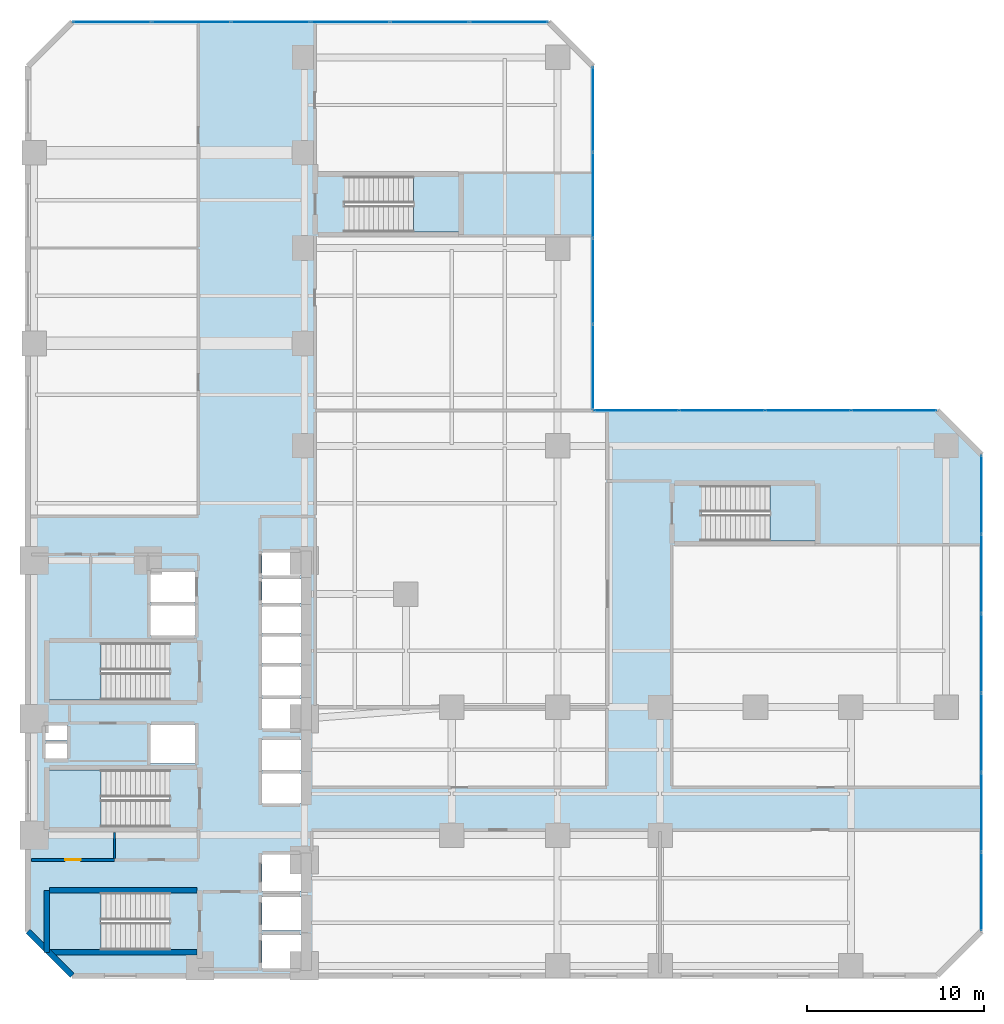
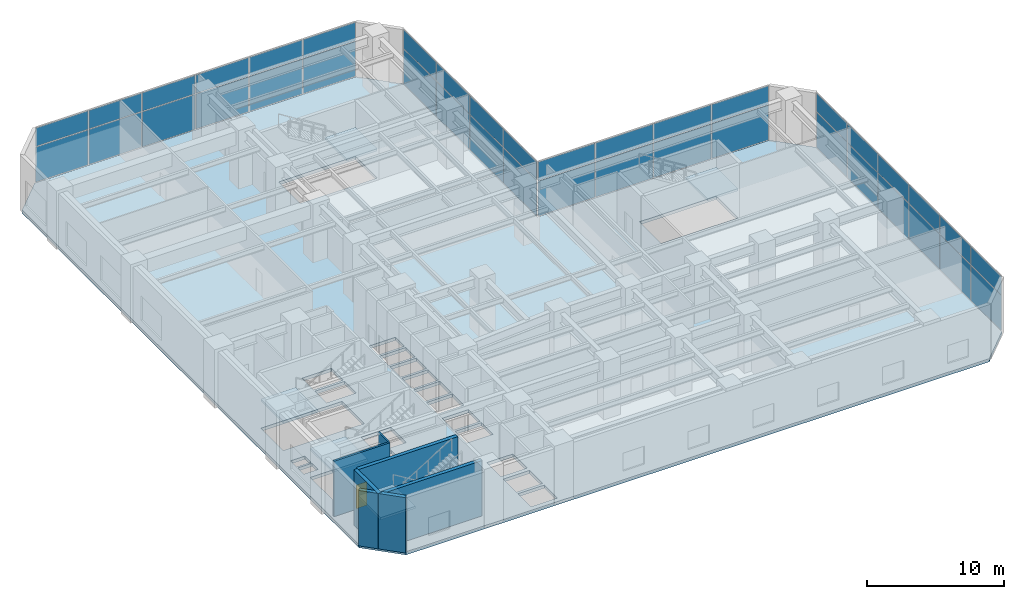
# One storey, part 13 of 22: 40 plates, 6 slabs, 6 walls, 1 door, 1 opening, 9 elements without a shape of their own.
"""IFC4 building model written with IfcOpenShell, lengths in metres."""

from ifc_helpers import new_model, si_unit, direction, frame, frame_2d, origin, origin_2d, place, context, subcontext, project, spatial, polyline, rectangle, outline, extrude, material, layer, layer_set, type_object, element, fill, aggregate, save


model = new_model("IFC4")

# Units and contexts
model_context = context("Model", 3, precision=1e-05, world=origin(), true_north=direction((0.0, 1.0)))
body_context = subcontext(model_context, "Body", "Model", "MODEL_VIEW")
ifc_project = project(units=[si_unit("LENGTHUNIT", "METRE"), si_unit("AREAUNIT", "SQUARE_METRE"), si_unit("VOLUMEUNIT", "CUBIC_METRE"), si_unit("PLANEANGLEUNIT", "RADIAN"), si_unit("MASSUNIT", "GRAM", prefix="KILO")], contexts=[model_context])

# Site, building, storey
site_placement = place(None, origin())
site = spatial("IfcSite", under=ifc_project, at=site_placement, CompositionType="ELEMENT")
building_placement = place(site_placement, origin())
building = spatial("IfcBuilding", under=site, at=building_placement, Name="Mawjaban Terraces University", CompositionType="ELEMENT")
storey_placement = place(building_placement, frame((0.0, 0.0, 10.39990234375)))
storey = spatial("IfcBuildingStorey", under=building, at=storey_placement, Name="L02", CompositionType="ELEMENT", Elevation=10.39990234375)

# Slab
ifc_material_1 = material(Name="Concrete C40/50", Category="concrete")
ifc_layer_1 = layer(ifc_material_1, 0.280029296875)
ifc_layer_set_1 = layer_set([ifc_layer_1], Name="Concrete C40/50")
slab_type_1 = type_object("IfcSlabType", Name="PodiumSlab_280", PredefinedType="FLOOR", material=ifc_layer_set_1)
slab_1_placement = place(storey_placement, frame((0.0, 0.0, -0.27978515625)))
element("IfcSlab", 1, at=slab_1_placement, inside=storey, type_object=slab_type_1, Name="L02 Primary Structural Slab", PredefinedType="FLOOR", context=body_context, shape_type="SweptSolid", body=[
    extrude(outline(polyline([(24.5, 0.0), (73.5, 0.0), (76.0, 2.5), (76.0, 29.5), (73.5, 32.0), (54.0, 32.0), (54.0, 51.5), (51.5, 54.0), (24.5, 54.0), (22.0, 51.5), (22.0, 2.5), (24.5, 0.0)]), holes=[polyline([(30.014892578125, 4.699951171875), (23.199951171875, 4.699951171875), (23.199951171875, 1.449951171875), (30.014892578125, 1.449951171875), (30.014892578125, 4.699951171875)]), polyline([(30.014892578125, 18.85009765625), (23.199951171875, 18.85009765625), (23.199951171875, 15.60009765625), (30.014892578125, 15.60009765625), (30.014892578125, 18.85009765625)]), polyline([(30.014892578125, 11.64990234375), (23.199951171875, 11.64990234375), (23.199951171875, 8.39990234375), (30.014892578125, 8.39990234375), (30.014892578125, 11.64990234375)]), polyline([(39.93505859375, 42.10009765625), (46.39990234375, 42.10009765625), (46.39990234375, 45.25), (39.93505859375, 45.25), (39.93505859375, 42.10009765625)]), polyline([(60.135009765625, 24.60009765625), (66.60009765625, 24.60009765625), (66.60009765625, 27.75), (60.135009765625, 27.75), (60.135009765625, 24.60009765625)]), polyline([(35.25, 0.39990234375), (37.449951171875, 0.39990234375), (37.449951171875, 2.300048828125), (35.25, 2.300048828125), (35.25, 0.39990234375)]), polyline([(35.25, 2.550048828125), (37.449951171875, 2.550048828125), (37.449951171875, 4.449951171875), (35.25, 4.449951171875), (35.25, 2.550048828125)]), polyline([(35.25, 4.800048828125), (37.449951171875, 4.800048828125), (37.449951171875, 6.85009765625), (35.25, 6.85009765625), (35.25, 4.800048828125)]), polyline([(35.25, 9.75), (37.449951171875, 9.75), (37.449951171875, 11.449951171875), (35.25, 11.449951171875), (35.25, 9.75)]), polyline([(35.25, 11.64990234375), (37.449951171875, 11.64990234375), (37.449951171875, 13.35009765625), (35.25, 13.35009765625), (35.25, 11.64990234375)]), polyline([(28.949951171875, 12.0), (31.449951171875, 12.0), (31.449951171875, 14.199951171875), (28.949951171875, 14.199951171875), (28.949951171875, 12.0)]), polyline([(35.25, 14.0), (37.449951171875, 14.0), (37.449951171875, 15.64990234375), (35.25, 15.64990234375), (35.25, 14.0)]), polyline([(35.25, 15.85009765625), (37.449951171875, 15.85009765625), (37.449951171875, 17.5), (35.25, 17.5), (35.25, 15.85009765625)]), polyline([(35.25, 17.699951171875), (37.449951171875, 17.699951171875), (37.449951171875, 19.199951171875), (35.25, 19.199951171875), (35.25, 17.699951171875)]), polyline([(35.25, 19.39990234375), (37.449951171875, 19.39990234375), (37.449951171875, 20.89990234375), (35.25, 20.89990234375), (35.25, 19.39990234375)]), polyline([(28.949951171875, 19.25), (31.449951171875, 19.25), (31.449951171875, 20.949951171875), (28.949951171875, 20.949951171875), (28.949951171875, 19.25)]), polyline([(35.25, 21.10009765625), (37.449951171875, 21.10009765625), (37.449951171875, 22.449951171875), (35.25, 22.449951171875), (35.25, 21.10009765625)]), polyline([(35.25, 22.64990234375), (37.449951171875, 22.64990234375), (37.449951171875, 23.949951171875), (35.25, 23.949951171875), (35.25, 22.64990234375)]), polyline([(28.949951171875, 21.14990234375), (31.449951171875, 21.14990234375), (31.449951171875, 22.85009765625), (28.949951171875, 22.85009765625), (28.949951171875, 21.14990234375)]), polyline([(23.0, 12.25), (24.199951171875, 12.25), (24.199951171875, 13.14990234375), (23.0, 13.14990234375), (23.0, 12.25)]), polyline([(23.0, 13.300048828125), (24.199951171875, 13.300048828125), (24.199951171875, 14.179931640625), (23.0, 14.179931640625), (23.0, 13.300048828125)])]), origin(), (0.0, 0.0, 1.0), 0.27978515625),
])

# Stair, slab
stair_type_1 = type_object("IfcStairType", Name="Stair_Core1550_H52", PredefinedType="HALF_TURN_STAIR", material=ifc_material_1)
stair_1_placement = place(storey_placement, origin())
stair_1 = element("IfcStair", 2, at=stair_1_placement, inside=storey, type_object=stair_type_1, Name="L02 Core Exit Stair 1", PredefinedType="HALF_TURN_STAIR")
ifc_layer_2 = layer(ifc_material_1, 0.199951171875)
ifc_layer_set_2 = layer_set([ifc_layer_2], Name="Concrete C40/50")
slab_type_2 = type_object("IfcSlabType", Name="StairLandingSlab_200", PredefinedType="LANDING", material=ifc_layer_set_2)
slab_2_placement = place(storey_placement, frame((0.0, 0.0, 2.400146484375)))
slab_2 = element("IfcSlab", 3, at=slab_2_placement, type_object=slab_type_2, Name="ST-1 landing 1", PredefinedType="LANDING", context=body_context, shape_type="SweptSolid", body=[
    extrude(outline(polyline([(26.1298828125, 4.699951171875), (23.199951171875, 4.699951171875), (23.199951171875, 1.449951171875), (26.1298828125, 1.449951171875), (26.1298828125, 4.699951171875)])), origin(), (0.0, 0.0, 1.0), 0.199951171875),
])
aggregate(stair_1, [slab_2])

stair_2_placement = place(storey_placement, origin())
stair_2 = element("IfcStair", 4, at=stair_2_placement, inside=storey, type_object=stair_type_1, Name="L02 Core Exit Stair 2", PredefinedType="HALF_TURN_STAIR")
slab_3_placement = place(storey_placement, frame((0.0, 0.0, 2.400146484375)))
slab_3 = element("IfcSlab", 5, at=slab_3_placement, type_object=slab_type_2, Name="ST-2 landing 1", PredefinedType="LANDING", context=body_context, shape_type="SweptSolid", body=[
    extrude(outline(polyline([(26.1298828125, 18.85009765625), (23.199951171875, 18.85009765625), (23.199951171875, 15.60009765625), (26.1298828125, 15.60009765625), (26.1298828125, 18.85009765625)])), origin(), (0.0, 0.0, 1.0), 0.199951171875),
])
aggregate(stair_2, [slab_3])

stair_3_placement = place(storey_placement, origin())
stair_3 = element("IfcStair", 6, at=stair_3_placement, inside=storey, type_object=stair_type_1, Name="L02 Core Exit Stair 3", PredefinedType="HALF_TURN_STAIR")
slab_4_placement = place(storey_placement, frame((0.0, 0.0, 2.400146484375)))
slab_4 = element("IfcSlab", 7, at=slab_4_placement, type_object=slab_type_2, Name="ST-3 landing 1", PredefinedType="LANDING", context=body_context, shape_type="SweptSolid", body=[
    extrude(outline(polyline([(26.1298828125, 11.64990234375), (23.199951171875, 11.64990234375), (23.199951171875, 8.39990234375), (26.1298828125, 8.39990234375), (26.1298828125, 11.64990234375)])), origin(), (0.0, 0.0, 1.0), 0.199951171875),
])
aggregate(stair_3, [slab_4])

stair_type_2 = type_object("IfcStairType", Name="Stair_Pod1500_H52", PredefinedType="HALF_TURN_STAIR", material=ifc_material_1)
stair_4_placement = place(storey_placement, origin())
stair_4 = element("IfcStair", 8, at=stair_4_placement, inside=storey, type_object=stair_type_2, Name="L02 Podium North Exit Stair 4", PredefinedType="HALF_TURN_STAIR")
slab_5_placement = place(storey_placement, frame((0.0, 0.0, 2.400146484375)))
slab_5 = element("IfcSlab", 9, at=slab_5_placement, type_object=slab_type_2, Name="ST-4 landing 1", PredefinedType="LANDING", context=body_context, shape_type="SweptSolid", body=[
    extrude(outline(polyline([(43.820068359375, 42.10009765625), (46.39990234375, 42.10009765625), (46.39990234375, 45.25), (43.820068359375, 45.25), (43.820068359375, 42.10009765625)])), origin(), (0.0, 0.0, 1.0), 0.199951171875),
])
aggregate(stair_4, [slab_5])

stair_5_placement = place(storey_placement, origin())
stair_5 = element("IfcStair", 10, at=stair_5_placement, inside=storey, type_object=stair_type_2, Name="L02 Podium East Exit Stair 5", PredefinedType="HALF_TURN_STAIR")
slab_6_placement = place(storey_placement, frame((0.0, 0.0, 2.400146484375)))
slab_6 = element("IfcSlab", 11, at=slab_6_placement, type_object=slab_type_2, Name="ST-5 landing 1", PredefinedType="LANDING", context=body_context, shape_type="SweptSolid", body=[
    extrude(outline(polyline([(64.02001953125, 24.60009765625), (66.60009765625, 24.60009765625), (66.60009765625, 27.75), (64.02001953125, 27.75), (64.02001953125, 24.60009765625)])), origin(), (0.0, 0.0, 1.0), 0.199951171875),
])
aggregate(stair_5, [slab_6])

# Curtain wall, plates
ifc_material_2 = material(Name="Anodised aluminium 6063-T6 and solar-control low-E glass", Category="aluminium")
ifc_layer_3 = layer(ifc_material_2, 0.179931640625)
ifc_layer_set_3 = layer_set([ifc_layer_3], Name="Anodised aluminium 6063-T6 and solar-control low-E glass")
curtain_wall_type = type_object("IfcCurtainWallType", Name="CWSystem_01_PlazaFoyer", PredefinedType="NOTDEFINED", material=ifc_layer_set_3)
curtain_wall_1_placement = place(storey_placement, origin())
curtain_wall_1 = element("IfcCurtainWall", 12, at=curtain_wall_1_placement, inside=storey, type_object=curtain_wall_type, Name="L02 Curtain Wall CW-01 Run 3.1", PredefinedType="NOTDEFINED")
ifc_material_3 = material(Name="Low-E solar-control double glazing", Category="glass")
ifc_layer_4 = layer(ifc_material_3, 0.031982421875)
ifc_layer_set_4 = layer_set([ifc_layer_4], Name="Low-E solar-control double glazing")
plate_type = type_object("IfcPlateType", Name="VisionPanel_CW-01", PredefinedType="CURTAIN_PANEL", material=ifc_layer_set_4)
plate_1_placement = place(storey_placement, frame((76.0, 4.766357421875, 0.06005859375), z_axis=(0.0, 0.0, 1.0), x_axis=(0.0, 1.0, 0.0)))
plate_1 = element("IfcPlate", 13, at=plate_1_placement, type_object=plate_type, Name="CW-01 panel 1.1", PredefinedType="CURTAIN_PANEL", context=body_context, shape_type="SweptSolid", body=[
    extrude(rectangle(XDim=4.402587890625, YDim=0.028076171875, at=origin_2d()), origin(), (0.0, 0.0, 1.0), 3.10791015625),
])
plate_2_placement = place(storey_placement, frame((76.0, 4.766357421875, 3.22802734375), z_axis=(0.0, 0.0, 1.0), x_axis=(0.0, 1.0, 0.0)))
plate_2 = element("IfcPlate", 14, at=plate_2_placement, type_object=plate_type, Name="CW-01 panel 1.2", PredefinedType="CURTAIN_PANEL", context=body_context, shape_type="SweptSolid", body=[
    extrude(rectangle(XDim=4.402587890625, YDim=0.028076171875, at=origin_2d()), origin(), (0.0, 0.0, 1.0), 1.632080078125),
])
plate_3_placement = place(storey_placement, frame((76.0, 9.25, 0.06005859375), z_axis=(0.0, 0.0, 1.0), x_axis=(0.0, 1.0, 0.0)))
plate_3 = element("IfcPlate", 15, at=plate_3_placement, type_object=plate_type, Name="CW-01 panel 2.1", PredefinedType="CURTAIN_PANEL", context=body_context, shape_type="SweptSolid", body=[
    extrude(rectangle(XDim=4.43505859375, YDim=0.028076171875, at=origin_2d()), origin(), (0.0, 0.0, 1.0), 3.10791015625),
])
plate_4_placement = place(storey_placement, frame((76.0, 9.25, 3.22802734375), z_axis=(0.0, 0.0, 1.0), x_axis=(0.0, 1.0, 0.0)))
plate_4 = element("IfcPlate", 16, at=plate_4_placement, type_object=plate_type, Name="CW-01 panel 2.2", PredefinedType="CURTAIN_PANEL", context=body_context, shape_type="SweptSolid", body=[
    extrude(rectangle(XDim=4.43505859375, YDim=0.028076171875, at=origin_2d()), origin(), (0.0, 0.0, 1.0), 1.632080078125),
])
plate_5_placement = place(storey_placement, frame((76.0, 13.75, 0.06005859375), z_axis=(0.0, 0.0, 1.0), x_axis=(0.0, 1.0, 0.0)))
plate_5 = element("IfcPlate", 17, at=plate_5_placement, type_object=plate_type, Name="CW-01 panel 3.1", PredefinedType="CURTAIN_PANEL", context=body_context, shape_type="SweptSolid", body=[
    extrude(rectangle(XDim=4.43505859375, YDim=0.028076171875, at=origin_2d()), origin(), (0.0, 0.0, 1.0), 3.10791015625),
])
plate_6_placement = place(storey_placement, frame((76.0, 13.75, 3.22802734375), z_axis=(0.0, 0.0, 1.0), x_axis=(0.0, 1.0, 0.0)))
plate_6 = element("IfcPlate", 18, at=plate_6_placement, type_object=plate_type, Name="CW-01 panel 3.2", PredefinedType="CURTAIN_PANEL", context=body_context, shape_type="SweptSolid", body=[
    extrude(rectangle(XDim=4.43505859375, YDim=0.028076171875, at=origin_2d()), origin(), (0.0, 0.0, 1.0), 1.632080078125),
])
plate_7_placement = place(storey_placement, frame((76.0, 18.25, 0.06005859375), z_axis=(0.0, 0.0, 1.0), x_axis=(0.0, 1.0, 0.0)))
plate_7 = element("IfcPlate", 19, at=plate_7_placement, type_object=plate_type, Name="CW-01 panel 4.1", PredefinedType="CURTAIN_PANEL", context=body_context, shape_type="SweptSolid", body=[
    extrude(rectangle(XDim=4.43505859375, YDim=0.028076171875, at=origin_2d()), origin(), (0.0, 0.0, 1.0), 3.10791015625),
])
plate_8_placement = place(storey_placement, frame((76.0, 18.25, 3.22802734375), z_axis=(0.0, 0.0, 1.0), x_axis=(0.0, 1.0, 0.0)))
plate_8 = element("IfcPlate", 20, at=plate_8_placement, type_object=plate_type, Name="CW-01 panel 4.2", PredefinedType="CURTAIN_PANEL", context=body_context, shape_type="SweptSolid", body=[
    extrude(rectangle(XDim=4.43505859375, YDim=0.028076171875, at=origin_2d()), origin(), (0.0, 0.0, 1.0), 1.632080078125),
])
plate_9_placement = place(storey_placement, frame((76.0, 22.75, 0.06005859375), z_axis=(0.0, 0.0, 1.0), x_axis=(0.0, 1.0, 0.0)))
plate_9 = element("IfcPlate", 21, at=plate_9_placement, type_object=plate_type, Name="CW-01 panel 5.1", PredefinedType="CURTAIN_PANEL", context=body_context, shape_type="SweptSolid", body=[
    extrude(rectangle(XDim=4.43505859375, YDim=0.028076171875, at=origin_2d()), origin(), (0.0, 0.0, 1.0), 3.10791015625),
])
plate_10_placement = place(storey_placement, frame((76.0, 22.75, 3.22802734375), z_axis=(0.0, 0.0, 1.0), x_axis=(0.0, 1.0, 0.0)))
plate_10 = element("IfcPlate", 22, at=plate_10_placement, type_object=plate_type, Name="CW-01 panel 5.2", PredefinedType="CURTAIN_PANEL", context=body_context, shape_type="SweptSolid", body=[
    extrude(rectangle(XDim=4.43505859375, YDim=0.028076171875, at=origin_2d()), origin(), (0.0, 0.0, 1.0), 1.632080078125),
])
plate_11_placement = place(storey_placement, frame((76.0, 27.233642578125, 0.06005859375), z_axis=(0.0, 0.0, 1.0), x_axis=(0.0, 1.0, 0.0)))
plate_11 = element("IfcPlate", 23, at=plate_11_placement, type_object=plate_type, Name="CW-01 panel 6.1", PredefinedType="CURTAIN_PANEL", context=body_context, shape_type="SweptSolid", body=[
    extrude(rectangle(XDim=4.402587890625, YDim=0.028076171875, at=origin_2d()), origin(), (0.0, 0.0, 1.0), 3.10791015625),
])
plate_12_placement = place(storey_placement, frame((76.0, 27.233642578125, 3.22802734375), z_axis=(0.0, 0.0, 1.0), x_axis=(0.0, 1.0, 0.0)))
plate_12 = element("IfcPlate", 24, at=plate_12_placement, type_object=plate_type, Name="CW-01 panel 6.2", PredefinedType="CURTAIN_PANEL", context=body_context, shape_type="SweptSolid", body=[
    extrude(rectangle(XDim=4.402587890625, YDim=0.028076171875, at=origin_2d()), origin(), (0.0, 0.0, 1.0), 1.632080078125),
])
aggregate(curtain_wall_1, [plate_1, plate_2, plate_3, plate_4, plate_5, plate_6, plate_7, plate_8, plate_9, plate_10, plate_11, plate_12])

curtain_wall_2_placement = place(storey_placement, origin())
curtain_wall_2 = element("IfcCurtainWall", 25, at=curtain_wall_2_placement, inside=storey, type_object=curtain_wall_type, Name="L02 Curtain Wall CW-01 Run 5.1", PredefinedType="NOTDEFINED")
plate_13_placement = place(storey_placement, frame((71.046142578125, 32.0, 0.06005859375), z_axis=(0.0, 0.0, 1.0), x_axis=(-1.0, 0.0, 0.0)))
plate_13 = element("IfcPlate", 26, at=plate_13_placement, type_object=plate_type, Name="CW-01 panel 1.1", PredefinedType="CURTAIN_PANEL", context=body_context, shape_type="SweptSolid", body=[
    extrude(rectangle(XDim=4.777587890625, YDim=0.028076171875, at=origin_2d()), origin(), (0.0, 0.0, 1.0), 3.10791015625),
])
plate_14_placement = place(storey_placement, frame((71.046142578125, 32.0, 3.22802734375), z_axis=(0.0, 0.0, 1.0), x_axis=(-1.0, 0.0, 0.0)))
plate_14 = element("IfcPlate", 27, at=plate_14_placement, type_object=plate_type, Name="CW-01 panel 1.2", PredefinedType="CURTAIN_PANEL", context=body_context, shape_type="SweptSolid", body=[
    extrude(rectangle(XDim=4.777587890625, YDim=0.028076171875, at=origin_2d()), origin(), (0.0, 0.0, 1.0), 1.632080078125),
])
plate_15_placement = place(storey_placement, frame((66.1875, 32.0, 0.06005859375), z_axis=(0.0, 0.0, 1.0), x_axis=(-1.0, 0.0, 0.0)))
plate_15 = element("IfcPlate", 28, at=plate_15_placement, type_object=plate_type, Name="CW-01 panel 2.1", PredefinedType="CURTAIN_PANEL", context=body_context, shape_type="SweptSolid", body=[
    extrude(rectangle(XDim=4.81005859375, YDim=0.028076171875, at=origin_2d()), origin(), (0.0, 0.0, 1.0), 3.10791015625),
])
plate_16_placement = place(storey_placement, frame((66.1875, 32.0, 3.22802734375), z_axis=(0.0, 0.0, 1.0), x_axis=(-1.0, 0.0, 0.0)))
plate_16 = element("IfcPlate", 29, at=plate_16_placement, type_object=plate_type, Name="CW-01 panel 2.2", PredefinedType="CURTAIN_PANEL", context=body_context, shape_type="SweptSolid", body=[
    extrude(rectangle(XDim=4.81005859375, YDim=0.028076171875, at=origin_2d()), origin(), (0.0, 0.0, 1.0), 1.632080078125),
])
plate_17_placement = place(storey_placement, frame((61.3125, 32.0, 0.06005859375), z_axis=(0.0, 0.0, 1.0), x_axis=(-1.0, 0.0, 0.0)))
plate_17 = element("IfcPlate", 30, at=plate_17_placement, type_object=plate_type, Name="CW-01 panel 3.1", PredefinedType="CURTAIN_PANEL", context=body_context, shape_type="SweptSolid", body=[
    extrude(rectangle(XDim=4.81005859375, YDim=0.028076171875, at=origin_2d()), origin(), (0.0, 0.0, 1.0), 3.10791015625),
])
plate_18_placement = place(storey_placement, frame((61.3125, 32.0, 3.22802734375), z_axis=(0.0, 0.0, 1.0), x_axis=(-1.0, 0.0, 0.0)))
plate_18 = element("IfcPlate", 31, at=plate_18_placement, type_object=plate_type, Name="CW-01 panel 3.2", PredefinedType="CURTAIN_PANEL", context=body_context, shape_type="SweptSolid", body=[
    extrude(rectangle(XDim=4.81005859375, YDim=0.028076171875, at=origin_2d()), origin(), (0.0, 0.0, 1.0), 1.632080078125),
])
plate_19_placement = place(storey_placement, frame((56.453857421875, 32.0, 0.06005859375), z_axis=(0.0, 0.0, 1.0), x_axis=(-1.0, 0.0, 0.0)))
plate_19 = element("IfcPlate", 32, at=plate_19_placement, type_object=plate_type, Name="CW-01 panel 4.1", PredefinedType="CURTAIN_PANEL", context=body_context, shape_type="SweptSolid", body=[
    extrude(rectangle(XDim=4.777587890625, YDim=0.028076171875, at=origin_2d()), origin(), (0.0, 0.0, 1.0), 3.10791015625),
])
plate_20_placement = place(storey_placement, frame((56.453857421875, 32.0, 3.22802734375), z_axis=(0.0, 0.0, 1.0), x_axis=(-1.0, 0.0, 0.0)))
plate_20 = element("IfcPlate", 33, at=plate_20_placement, type_object=plate_type, Name="CW-01 panel 4.2", PredefinedType="CURTAIN_PANEL", context=body_context, shape_type="SweptSolid", body=[
    extrude(rectangle(XDim=4.777587890625, YDim=0.028076171875, at=origin_2d()), origin(), (0.0, 0.0, 1.0), 1.632080078125),
])
aggregate(curtain_wall_2, [plate_13, plate_14, plate_15, plate_16, plate_17, plate_18, plate_19, plate_20])

curtain_wall_3_placement = place(storey_placement, origin())
curtain_wall_3 = element("IfcCurtainWall", 34, at=curtain_wall_3_placement, inside=storey, type_object=curtain_wall_type, Name="L02 Curtain Wall CW-01 Run 6.1", PredefinedType="NOTDEFINED")
plate_21_placement = place(storey_placement, frame((54.0, 34.453857421875, 0.06005859375), z_axis=(0.0, 0.0, 1.0), x_axis=(0.0, 1.0, 0.0)))
plate_21 = element("IfcPlate", 35, at=plate_21_placement, type_object=plate_type, Name="CW-01 panel 1.1", PredefinedType="CURTAIN_PANEL", context=body_context, shape_type="SweptSolid", body=[
    extrude(rectangle(XDim=4.777587890625, YDim=0.028076171875, at=origin_2d()), origin(), (0.0, 0.0, 1.0), 3.10791015625),
])
plate_22_placement = place(storey_placement, frame((54.0, 34.453857421875, 3.22802734375), z_axis=(0.0, 0.0, 1.0), x_axis=(0.0, 1.0, 0.0)))
plate_22 = element("IfcPlate", 36, at=plate_22_placement, type_object=plate_type, Name="CW-01 panel 1.2", PredefinedType="CURTAIN_PANEL", context=body_context, shape_type="SweptSolid", body=[
    extrude(rectangle(XDim=4.777587890625, YDim=0.028076171875, at=origin_2d()), origin(), (0.0, 0.0, 1.0), 1.632080078125),
])
plate_23_placement = place(storey_placement, frame((54.0, 39.3125, 0.06005859375), z_axis=(0.0, 0.0, 1.0), x_axis=(0.0, 1.0, 0.0)))
plate_23 = element("IfcPlate", 37, at=plate_23_placement, type_object=plate_type, Name="CW-01 panel 2.1", PredefinedType="CURTAIN_PANEL", context=body_context, shape_type="SweptSolid", body=[
    extrude(rectangle(XDim=4.81005859375, YDim=0.028076171875, at=origin_2d()), origin(), (0.0, 0.0, 1.0), 3.10791015625),
])
plate_24_placement = place(storey_placement, frame((54.0, 39.3125, 3.22802734375), z_axis=(0.0, 0.0, 1.0), x_axis=(0.0, 1.0, 0.0)))
plate_24 = element("IfcPlate", 38, at=plate_24_placement, type_object=plate_type, Name="CW-01 panel 2.2", PredefinedType="CURTAIN_PANEL", context=body_context, shape_type="SweptSolid", body=[
    extrude(rectangle(XDim=4.81005859375, YDim=0.028076171875, at=origin_2d()), origin(), (0.0, 0.0, 1.0), 1.632080078125),
])
plate_25_placement = place(storey_placement, frame((54.0, 44.1875, 0.06005859375), z_axis=(0.0, 0.0, 1.0), x_axis=(0.0, 1.0, 0.0)))
plate_25 = element("IfcPlate", 39, at=plate_25_placement, type_object=plate_type, Name="CW-01 panel 3.1", PredefinedType="CURTAIN_PANEL", context=body_context, shape_type="SweptSolid", body=[
    extrude(rectangle(XDim=4.81005859375, YDim=0.028076171875, at=origin_2d()), origin(), (0.0, 0.0, 1.0), 3.10791015625),
])
plate_26_placement = place(storey_placement, frame((54.0, 44.1875, 3.22802734375), z_axis=(0.0, 0.0, 1.0), x_axis=(0.0, 1.0, 0.0)))
plate_26 = element("IfcPlate", 40, at=plate_26_placement, type_object=plate_type, Name="CW-01 panel 3.2", PredefinedType="CURTAIN_PANEL", context=body_context, shape_type="SweptSolid", body=[
    extrude(rectangle(XDim=4.81005859375, YDim=0.028076171875, at=origin_2d()), origin(), (0.0, 0.0, 1.0), 1.632080078125),
])
plate_27_placement = place(storey_placement, frame((54.0, 49.046142578125, 0.06005859375), z_axis=(0.0, 0.0, 1.0), x_axis=(0.0, 1.0, 0.0)))
plate_27 = element("IfcPlate", 41, at=plate_27_placement, type_object=plate_type, Name="CW-01 panel 4.1", PredefinedType="CURTAIN_PANEL", context=body_context, shape_type="SweptSolid", body=[
    extrude(rectangle(XDim=4.777587890625, YDim=0.028076171875, at=origin_2d()), origin(), (0.0, 0.0, 1.0), 3.10791015625),
])
plate_28_placement = place(storey_placement, frame((54.0, 49.046142578125, 3.22802734375), z_axis=(0.0, 0.0, 1.0), x_axis=(0.0, 1.0, 0.0)))
plate_28 = element("IfcPlate", 42, at=plate_28_placement, type_object=plate_type, Name="CW-01 panel 4.2", PredefinedType="CURTAIN_PANEL", context=body_context, shape_type="SweptSolid", body=[
    extrude(rectangle(XDim=4.777587890625, YDim=0.028076171875, at=origin_2d()), origin(), (0.0, 0.0, 1.0), 1.632080078125),
])
aggregate(curtain_wall_3, [plate_21, plate_22, plate_23, plate_24, plate_25, plate_26, plate_27, plate_28])

curtain_wall_4_placement = place(storey_placement, origin())
curtain_wall_4 = element("IfcCurtainWall", 43, at=curtain_wall_4_placement, inside=storey, type_object=curtain_wall_type, Name="L02 Curtain Wall CW-01 Run 8.1", PredefinedType="NOTDEFINED")
plate_29_placement = place(storey_placement, frame((49.233642578125, 54.0, 0.06005859375), z_axis=(0.0, 0.0, 1.0), x_axis=(-1.0, 0.0, 0.0)))
plate_29 = element("IfcPlate", 44, at=plate_29_placement, type_object=plate_type, Name="CW-01 panel 1.1", PredefinedType="CURTAIN_PANEL", context=body_context, shape_type="SweptSolid", body=[
    extrude(rectangle(XDim=4.402587890625, YDim=0.028076171875, at=origin_2d()), origin(), (0.0, 0.0, 1.0), 3.10791015625),
])
plate_30_placement = place(storey_placement, frame((49.233642578125, 54.0, 3.22802734375), z_axis=(0.0, 0.0, 1.0), x_axis=(-1.0, 0.0, 0.0)))
plate_30 = element("IfcPlate", 45, at=plate_30_placement, type_object=plate_type, Name="CW-01 panel 1.2", PredefinedType="CURTAIN_PANEL", context=body_context, shape_type="SweptSolid", body=[
    extrude(rectangle(XDim=4.402587890625, YDim=0.028076171875, at=origin_2d()), origin(), (0.0, 0.0, 1.0), 1.632080078125),
])
plate_31_placement = place(storey_placement, frame((44.75, 54.0, 0.06005859375), z_axis=(0.0, 0.0, 1.0), x_axis=(-1.0, 0.0, 0.0)))
plate_31 = element("IfcPlate", 46, at=plate_31_placement, type_object=plate_type, Name="CW-01 panel 2.1", PredefinedType="CURTAIN_PANEL", context=body_context, shape_type="SweptSolid", body=[
    extrude(rectangle(XDim=4.43505859375, YDim=0.028076171875, at=origin_2d()), origin(), (0.0, 0.0, 1.0), 3.10791015625),
])
plate_32_placement = place(storey_placement, frame((44.75, 54.0, 3.22802734375), z_axis=(0.0, 0.0, 1.0), x_axis=(-1.0, 0.0, 0.0)))
plate_32 = element("IfcPlate", 47, at=plate_32_placement, type_object=plate_type, Name="CW-01 panel 2.2", PredefinedType="CURTAIN_PANEL", context=body_context, shape_type="SweptSolid", body=[
    extrude(rectangle(XDim=4.43505859375, YDim=0.028076171875, at=origin_2d()), origin(), (0.0, 0.0, 1.0), 1.632080078125),
])
plate_33_placement = place(storey_placement, frame((40.25, 54.0, 0.06005859375), z_axis=(0.0, 0.0, 1.0), x_axis=(-1.0, 0.0, 0.0)))
plate_33 = element("IfcPlate", 48, at=plate_33_placement, type_object=plate_type, Name="CW-01 panel 3.1", PredefinedType="CURTAIN_PANEL", context=body_context, shape_type="SweptSolid", body=[
    extrude(rectangle(XDim=4.43505859375, YDim=0.028076171875, at=origin_2d()), origin(), (0.0, 0.0, 1.0), 3.10791015625),
])
plate_34_placement = place(storey_placement, frame((40.25, 54.0, 3.22802734375), z_axis=(0.0, 0.0, 1.0), x_axis=(-1.0, 0.0, 0.0)))
plate_34 = element("IfcPlate", 49, at=plate_34_placement, type_object=plate_type, Name="CW-01 panel 3.2", PredefinedType="CURTAIN_PANEL", context=body_context, shape_type="SweptSolid", body=[
    extrude(rectangle(XDim=4.43505859375, YDim=0.028076171875, at=origin_2d()), origin(), (0.0, 0.0, 1.0), 1.632080078125),
])
plate_35_placement = place(storey_placement, frame((35.75, 54.0, 0.06005859375), z_axis=(0.0, 0.0, 1.0), x_axis=(-1.0, 0.0, 0.0)))
plate_35 = element("IfcPlate", 50, at=plate_35_placement, type_object=plate_type, Name="CW-01 panel 4.1", PredefinedType="CURTAIN_PANEL", context=body_context, shape_type="SweptSolid", body=[
    extrude(rectangle(XDim=4.43505859375, YDim=0.028076171875, at=origin_2d()), origin(), (0.0, 0.0, 1.0), 3.10791015625),
])
plate_36_placement = place(storey_placement, frame((35.75, 54.0, 3.22802734375), z_axis=(0.0, 0.0, 1.0), x_axis=(-1.0, 0.0, 0.0)))
plate_36 = element("IfcPlate", 51, at=plate_36_placement, type_object=plate_type, Name="CW-01 panel 4.2", PredefinedType="CURTAIN_PANEL", context=body_context, shape_type="SweptSolid", body=[
    extrude(rectangle(XDim=4.43505859375, YDim=0.028076171875, at=origin_2d()), origin(), (0.0, 0.0, 1.0), 1.632080078125),
])
plate_37_placement = place(storey_placement, frame((31.25, 54.0, 0.06005859375), z_axis=(0.0, 0.0, 1.0), x_axis=(-1.0, 0.0, 0.0)))
plate_37 = element("IfcPlate", 52, at=plate_37_placement, type_object=plate_type, Name="CW-01 panel 5.1", PredefinedType="CURTAIN_PANEL", context=body_context, shape_type="SweptSolid", body=[
    extrude(rectangle(XDim=4.43505859375, YDim=0.028076171875, at=origin_2d()), origin(), (0.0, 0.0, 1.0), 3.10791015625),
])
plate_38_placement = place(storey_placement, frame((31.25, 54.0, 3.22802734375), z_axis=(0.0, 0.0, 1.0), x_axis=(-1.0, 0.0, 0.0)))
plate_38 = element("IfcPlate", 53, at=plate_38_placement, type_object=plate_type, Name="CW-01 panel 5.2", PredefinedType="CURTAIN_PANEL", context=body_context, shape_type="SweptSolid", body=[
    extrude(rectangle(XDim=4.43505859375, YDim=0.028076171875, at=origin_2d()), origin(), (0.0, 0.0, 1.0), 1.632080078125),
])
plate_39_placement = place(storey_placement, frame((26.766357421875, 54.0, 0.06005859375), z_axis=(0.0, 0.0, 1.0), x_axis=(-1.0, 0.0, 0.0)))
plate_39 = element("IfcPlate", 54, at=plate_39_placement, type_object=plate_type, Name="CW-01 panel 6.1", PredefinedType="CURTAIN_PANEL", context=body_context, shape_type="SweptSolid", body=[
    extrude(rectangle(XDim=4.402587890625, YDim=0.028076171875, at=origin_2d()), origin(), (0.0, 0.0, 1.0), 3.10791015625),
])
plate_40_placement = place(storey_placement, frame((26.766357421875, 54.0, 3.22802734375), z_axis=(0.0, 0.0, 1.0), x_axis=(-1.0, 0.0, 0.0)))
plate_40 = element("IfcPlate", 55, at=plate_40_placement, type_object=plate_type, Name="CW-01 panel 6.2", PredefinedType="CURTAIN_PANEL", context=body_context, shape_type="SweptSolid", body=[
    extrude(rectangle(XDim=4.402587890625, YDim=0.028076171875, at=origin_2d()), origin(), (0.0, 0.0, 1.0), 1.632080078125),
])
aggregate(curtain_wall_4, [plate_29, plate_30, plate_31, plate_32, plate_33, plate_34, plate_35, plate_36, plate_37, plate_38, plate_39, plate_40])

# Wall, opening, door
ifc_material_4 = material(Name="Fire-rated gypsum board on steel stud", Category="steel")
ifc_layer_5 = layer(ifc_material_4, 0.159912109375)
ifc_layer_set_5 = layer_set([ifc_layer_5], Name="Fire-rated gypsum board on steel stud")
wall_type_1 = type_object("IfcWallType", Name="CorridorPartition_160", PredefinedType="PARTITIONING", material=ifc_layer_set_5)
wall_1_placement = place(storey_placement, frame((26.89990234375, 6.550048828125, 0.0), z_axis=(0.0, 0.0, 1.0), x_axis=(-1.0, 0.0, 0.0)))
wall_1 = element("IfcWall", 56, at=wall_1_placement, inside=storey, type_object=wall_type_1, Name="L02 Core Washroom Lobby Partition 4", PredefinedType="PARTITIONING", context=body_context, shape_type="SweptSolid", body=[
    extrude(rectangle(XDim=4.699951171875, YDim=0.159912109375, at=frame_2d((2.35009765625, 0.0))), origin(), (0.0, 0.0, 1.0), 4.920166015625),
])
opening_placement = place(wall_1_placement, frame((1.909912109375, 0.0, 0.0)))
opening = element("IfcOpeningElement", 57, at=opening_placement, cuts=wall_1, Name="Opening ID-088", PredefinedType="OPENING", context=body_context, shape_type="SweptSolid", body=[
    extrude(rectangle(XDim=0.8798828125, YDim=2.10009765625, at=frame_2d((0.43994140625, 1.050048828125))), frame((0.0, 0.08984375, 0.0), z_axis=(0.0, -1.0, 0.0), x_axis=(1.0, 0.0, 0.0)), (0.0, 0.0, 1.0), 0.179931640625),
])
ifc_material_5 = material(Name="Powder-coated steel frame and solid acoustic timber leaf", Category="steel")
door_type = type_object("IfcDoorType", Name="ToiletDoor_880x2100", OperationType="NOTDEFINED", PredefinedType="DOOR", material=ifc_material_5)
door_placement = place(opening_placement, origin())
door = element("IfcDoor", 58, at=door_placement, inside=storey, type_object=door_type, Name="L02 Male Toilet Door", OperationType="SINGLE_SWING_RIGHT", OverallHeight=2.10009765625, OverallWidth=0.8798828125, PredefinedType="DOOR", context=body_context, shape_type="SweptSolid", body=[
    extrude(rectangle(XDim=0.8798828125, YDim=2.10009765625, at=frame_2d((0.43994140625, 1.050048828125))), frame((0.0, 0.02490234375, 0.0), z_axis=(0.0, -1.0, 0.0), x_axis=(1.0, 0.0, 0.0)), (0.0, 0.0, 1.0), 0.050048828125),
])
fill(opening, door)

# Walls
ifc_material_6 = material(Name="Insulated terracotta rainscreen on concrete backup C40/50", Category="masonry")
ifc_layer_6 = layer(ifc_material_6, 0.320068359375)
ifc_layer_set_6 = layer_set([ifc_layer_6], Name="Insulated terracotta rainscreen on concrete backup C40/50")
wall_type_2 = type_object("IfcWallType", Name="ExtTerracottaWall_320", PredefinedType="SOLIDWALL", material=ifc_layer_set_6)
wall_2_placement = place(storey_placement, frame((22.0, 2.5, 0.0), z_axis=(0.0, 0.0, 1.0), x_axis=(0.707106781187, -0.707106781187, 0.0)))
element("IfcWall", 59, at=wall_2_placement, inside=storey, type_object=wall_type_2, Name="L02 Exterior Terracotta Wall 11", PredefinedType="SOLIDWALL", context=body_context, shape_type="SweptSolid", body=[
    extrude(rectangle(XDim=3.53564453125, YDim=0.320068359375, at=frame_2d((1.767822265625, 0.0))), origin(), (0.0, 0.0, 1.0), 4.920166015625),
])
ifc_material_7 = material(Name="Concrete C60/75", Category="concrete")
ifc_layer_7 = layer(ifc_material_7, 0.300048828125)
ifc_layer_set_7 = layer_set([ifc_layer_7], Name="Concrete C60/75")
wall_type_3 = type_object("IfcWallType", Name="StairShaftWall_300", PredefinedType="SHEAR", material=ifc_layer_set_7)
wall_3_placement = place(storey_placement, frame((31.580078125, 4.830078125, 0.0), z_axis=(0.0, 0.0, 1.0), x_axis=(-1.0, 0.0, 0.0)))
element("IfcWall", 60, at=wall_3_placement, inside=storey, type_object=wall_type_3, Name="L02 ST-1 Stair Shaft Wall 1", PredefinedType="SHEAR", context=body_context, shape_type="SweptSolid", body=[
    extrude(rectangle(XDim=8.360107421875, YDim=0.300048828125, at=frame_2d((4.18017578125, 0.0))), origin(), (0.0, 0.0, 1.0), 4.920166015625),
])
wall_4_placement = place(storey_placement, frame((23.070068359375, 4.830078125, 0.0), z_axis=(0.0, 0.0, 1.0), x_axis=(0.0, -1.0, 0.0)))
element("IfcWall", 61, at=wall_4_placement, inside=storey, type_object=wall_type_3, Name="L02 ST-1 Stair Shaft Wall 2", PredefinedType="SHEAR", context=body_context, shape_type="SweptSolid", body=[
    extrude(rectangle(XDim=3.510009765625, YDim=0.300048828125, at=frame_2d((1.7548828125, 0.0))), origin(), (0.0, 0.0, 1.0), 4.920166015625),
])
wall_5_placement = place(storey_placement, frame((23.219970703125, 1.320068359375, 0.0), z_axis=(0.0, 0.0, 1.0), x_axis=(1.0, 0.0, 0.0)))
element("IfcWall", 62, at=wall_5_placement, inside=storey, type_object=wall_type_3, Name="L02 ST-1 Stair Shaft Wall 3", PredefinedType="SHEAR", context=body_context, shape_type="SweptSolid", body=[
    extrude(rectangle(XDim=8.360107421875, YDim=0.300048828125, at=frame_2d((4.18017578125, 0.0))), origin(), (0.0, 0.0, 1.0), 4.920166015625),
])
ifc_material_8 = material(Name="Cement-board wet-room partition", Category="masonry")
ifc_layer_8 = layer(ifc_material_8, 0.135009765625)
ifc_layer_set_8 = layer_set([ifc_layer_8], Name="Cement-board wet-room partition")
wall_type_4 = type_object("IfcWallType", Name="WetRoomPartition_135", PredefinedType="PARTITIONING", material=ifc_layer_set_8)
wall_6_placement = place(storey_placement, frame((26.89990234375, 6.625, 0.0), z_axis=(0.0, 0.0, 1.0), x_axis=(0.0, 1.0, 0.0)))
element("IfcWall", 63, at=wall_6_placement, inside=storey, type_object=wall_type_4, Name="L02 Male Toilet Partition 25", PredefinedType="PARTITIONING", context=body_context, shape_type="SweptSolid", body=[
    extrude(rectangle(XDim=1.465087890625, YDim=0.135009765625, at=frame_2d((0.732421875, 0.0))), origin(), (0.0, 0.0, 1.0), 4.920166015625),
])

save(model, "model.ifc")
